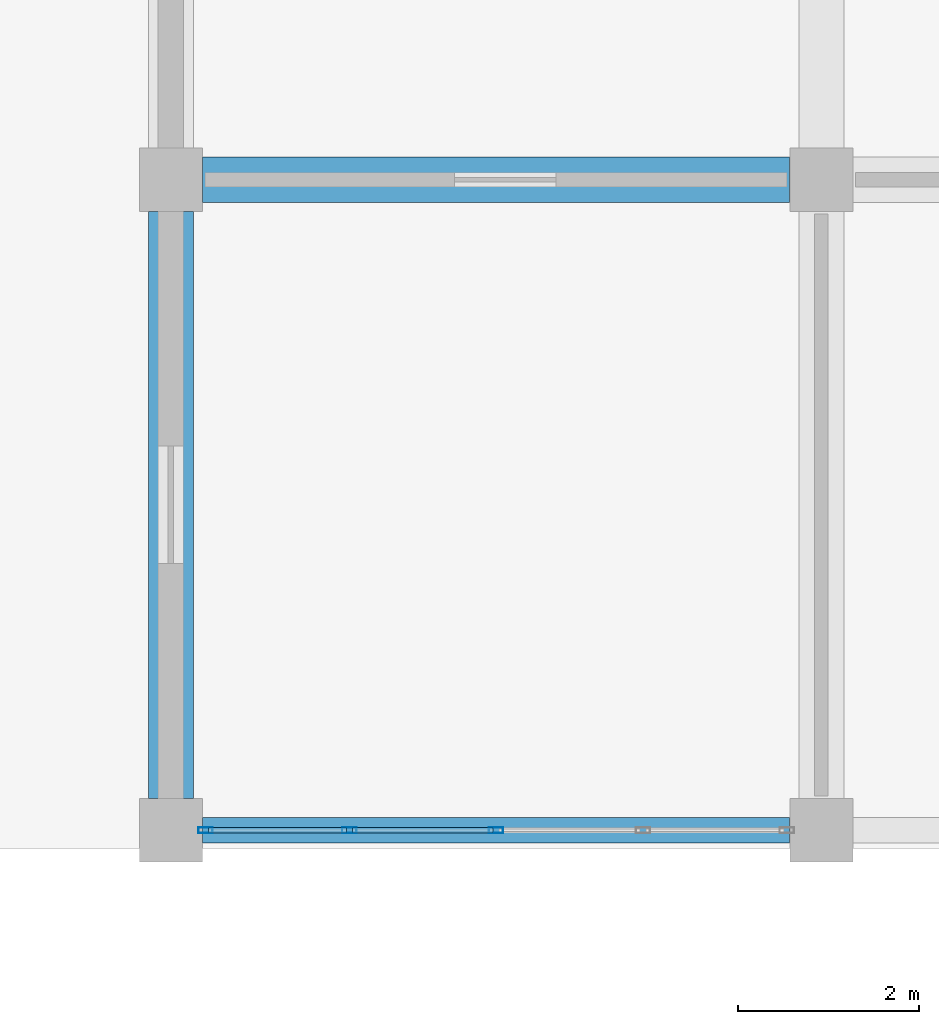
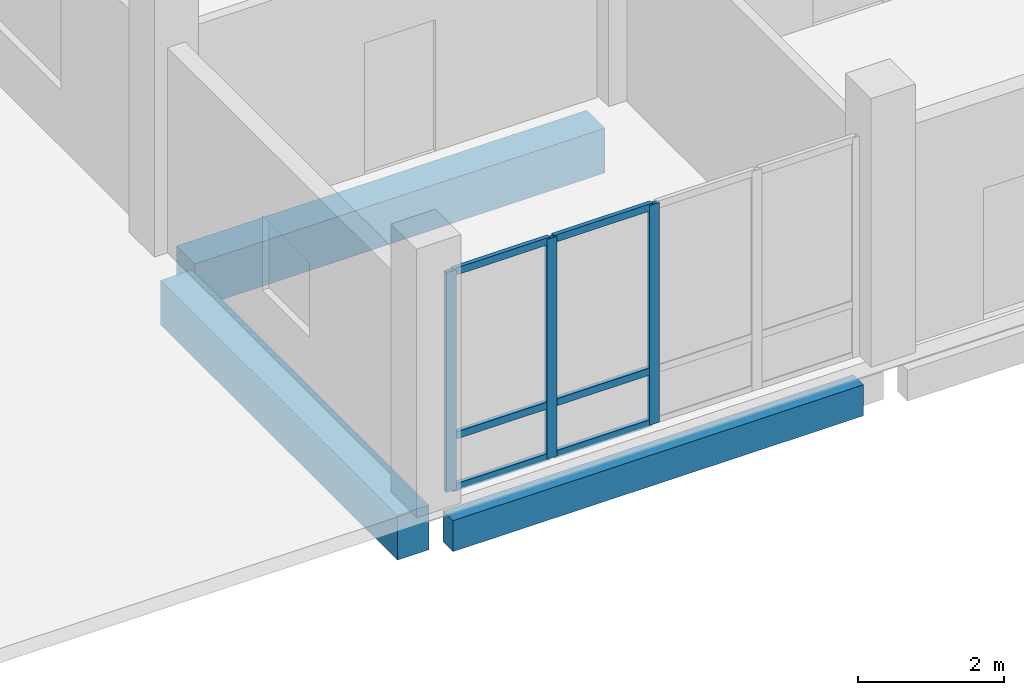
# One storey, part 35 of 139: 9 members, 3 beams, 1 element without a shape of its own.
"""IFC4 building model written with IfcOpenShell, lengths in metres."""

from ifc_helpers import new_model, si_unit, direction, frame, origin, origin_2d, place, context, subcontext, project, spatial, rectangle, hollow_rectangle, extrude, material, material_profile, profile_set, type_object, element, aggregate, save


model = new_model("IFC4")

# Units and contexts
model_context = context("Model", 3, precision=1e-05, world=origin(), true_north=direction((0.0, 1.0)))
body_context = subcontext(model_context, "Body", "Model", "MODEL_VIEW")
ifc_project = project(units=[si_unit("LENGTHUNIT", "METRE"), si_unit("AREAUNIT", "SQUARE_METRE"), si_unit("VOLUMEUNIT", "CUBIC_METRE"), si_unit("PLANEANGLEUNIT", "RADIAN"), si_unit("MASSUNIT", "GRAM", prefix="KILO")], contexts=[model_context])

# Site, building, storey
site_placement = place(None, origin())
site = spatial("IfcSite", under=ifc_project, at=site_placement, CompositionType="ELEMENT")
building_placement = place(site_placement, origin())
building = spatial("IfcBuilding", under=site, at=building_placement, Name="Suanplinth Sawtooth Commons", CompositionType="ELEMENT")
storey_placement = place(building_placement, origin())
storey = spatial("IfcBuildingStorey", under=building, at=storey_placement, Name="L00", CompositionType="ELEMENT", Elevation=0.0)

# Beams
ifc_material_1 = material(Name="Concrete C40/50", Category="concrete")
ifc_material_profile_1 = material_profile(ifc_material_1, rectangle(XDim=0.5, YDim=0.75, at=origin_2d()), Name="RC-GDR 500x750")
ifc_profile_set_1 = profile_set([ifc_material_profile_1], Name="Concrete C40/50")
beam_type_1 = type_object("IfcBeamType", Name="B-03", PredefinedType="USERDEFINED", material=ifc_profile_set_1)
for number, where, z_axis, x_axis, name in (
    (1, (122.75, 7.199951171875, -0.794921875), (1.0, 0.0, 0.0), (0.0, 1.0, 0.0), "BMX-L00-C-17-1"),
    (2, (122.39990234375, 0.35009765625, -0.794921875), (0.0, 1.0, 0.0), (-1.0, 0.0, 0.0), "BMY-L00-C-17-0"),
):
    element("IfcBeam", number, at=place(storey_placement, frame(where, z_axis=z_axis, x_axis=x_axis)), inside=storey, type_object=beam_type_1, Name=name, ObjectType="GIRDER", PredefinedType="USERDEFINED", context=body_context, shape_type="SweptSolid", body=[
        extrude(rectangle(XDim=0.5, YDim=0.75, at=origin_2d()), origin(), (0.0, 0.0, 1.0), 6.5),
    ])
ifc_material_2 = material(Name="Precast concrete C40/50", Category="concrete")
ifc_material_profile_2 = material_profile(ifc_material_2, rectangle(XDim=0.280029296875, YDim=0.52001953125, at=origin_2d()), Name="PC-SP 280x520")
ifc_profile_set_2 = profile_set([ifc_material_profile_2], Name="Precast concrete C40/50")
beam_type_2 = type_object("IfcBeamType", Name="B-08", PredefinedType="SPANDREL", material=ifc_profile_set_2)
beam_placement = place(storey_placement, frame((122.75, 0.0, -0.679931640625), z_axis=(1.0, 0.0, 0.0), x_axis=(0.0, 1.0, 0.0)))
element("IfcBeam", 3, at=beam_placement, inside=storey, type_object=beam_type_2, Name="BMX-L00-C-17-0", PredefinedType="SPANDREL", context=body_context, shape_type="SweptSolid", body=[
    extrude(rectangle(XDim=0.280029296875, YDim=0.52001953125, at=origin_2d()), origin(), (0.0, 0.0, 1.0), 6.5),
])

# Curtain wall, members
ifc_material_3 = material(Name="Anodized aluminium and low-E glazing", Category="aluminium")
curtain_wall_type = type_object("IfcCurtainWallType", Name="CW-04", PredefinedType="USERDEFINED", material=ifc_material_3)
curtain_wall_placement = place(storey_placement, origin())
curtain_wall = element("IfcCurtainWall", 4, at=curtain_wall_placement, inside=storey, type_object=curtain_wall_type, Name="Curtain Wall CW-L00-C-S-17", ObjectType="CURTAIN WALL", PredefinedType="USERDEFINED")
ifc_material_4 = material(Name="Anodized aluminium 6063-T6", Category="aluminium")
ifc_material_profile_3 = material_profile(ifc_material_4, hollow_rectangle(XDim=0.06494140625, YDim=0.159912109375, WallThickness=0.00390625, at=origin_2d()), Name="ALU-MUL 65x160")
ifc_profile_set_3 = profile_set([ifc_material_profile_3], Name="Anodized aluminium 6063-T6")
member_type_1 = type_object("IfcMemberType", Name="M-13", PredefinedType="MULLION", material=ifc_profile_set_3)
member_1_placement = place(storey_placement, frame((122.782470703125, 0.0, 0.0), z_axis=(0.0, 0.0, 1.0), x_axis=(0.0, 1.0, 0.0)))
member_1 = element("IfcMember", 5, at=member_1_placement, type_object=member_type_1, Name="CW-04 mullion 1", PredefinedType="MULLION", context=body_context, shape_type="SweptSolid", body=[
    extrude(hollow_rectangle(XDim=0.06494140625, YDim=0.159912109375, WallThickness=0.00390625, at=origin_2d()), origin(), (0.0, 0.0, 1.0), 3.679931640625),
])
member_2_placement = place(storey_placement, frame((124.375, 0.0, 0.0), z_axis=(0.0, 0.0, 1.0), x_axis=(0.0, 1.0, 0.0)))
member_2 = element("IfcMember", 6, at=member_2_placement, type_object=member_type_1, Name="CW-04 mullion 2", PredefinedType="MULLION", context=body_context, shape_type="SweptSolid", body=[
    extrude(hollow_rectangle(XDim=0.06494140625, YDim=0.159912109375, WallThickness=0.00390625, at=origin_2d()), origin(), (0.0, 0.0, 1.0), 3.679931640625),
])
member_3_placement = place(storey_placement, frame((126.0, 0.0, 0.0), z_axis=(0.0, 0.0, 1.0), x_axis=(0.0, 1.0, 0.0)))
member_3 = element("IfcMember", 7, at=member_3_placement, type_object=member_type_1, Name="CW-04 mullion 3", PredefinedType="MULLION", context=body_context, shape_type="SweptSolid", body=[
    extrude(hollow_rectangle(XDim=0.06494140625, YDim=0.159912109375, WallThickness=0.00390625, at=origin_2d()), origin(), (0.0, 0.0, 1.0), 3.679931640625),
])
ifc_material_profile_4 = material_profile(ifc_material_4, hollow_rectangle(XDim=0.06494140625, YDim=0.1201171875, WallThickness=0.00390625, at=origin_2d()), Name="ALU-TRN 65x120")
ifc_profile_set_4 = profile_set([ifc_material_profile_4], Name="Anodized aluminium 6063-T6")
member_type_2 = type_object("IfcMemberType", Name="M-15", PredefinedType="USERDEFINED", material=ifc_profile_set_4)
member_4_placement = place(storey_placement, frame((122.81494140625, 0.0, 0.032470703125), z_axis=(1.0, 0.0, 0.0), x_axis=(0.0, 1.0, 0.0)))
member_4 = element("IfcMember", 8, at=member_4_placement, type_object=member_type_2, Name="CW-04 transom 1.1", ObjectType="TRANSOM", PredefinedType="USERDEFINED", context=body_context, shape_type="SweptSolid", body=[
    extrude(hollow_rectangle(XDim=0.06494140625, YDim=0.1201171875, WallThickness=0.00390625, at=origin_2d()), origin(), (0.0, 0.0, 1.0), 1.527587890625),
])
member_5_placement = place(storey_placement, frame((122.81494140625, 0.0, 0.89990234375), z_axis=(1.0, 0.0, 0.0), x_axis=(0.0, 1.0, 0.0)))
member_5 = element("IfcMember", 9, at=member_5_placement, type_object=member_type_2, Name="CW-04 transom 1.2", ObjectType="TRANSOM", PredefinedType="USERDEFINED", context=body_context, shape_type="SweptSolid", body=[
    extrude(hollow_rectangle(XDim=0.06494140625, YDim=0.1201171875, WallThickness=0.00390625, at=origin_2d()), origin(), (0.0, 0.0, 1.0), 1.527587890625),
])
member_6_placement = place(storey_placement, frame((122.81494140625, 0.0, 3.6474609375), z_axis=(1.0, 0.0, 0.0), x_axis=(0.0, 1.0, 0.0)))
member_6 = element("IfcMember", 10, at=member_6_placement, type_object=member_type_2, Name="CW-04 transom 1.3", ObjectType="TRANSOM", PredefinedType="USERDEFINED", context=body_context, shape_type="SweptSolid", body=[
    extrude(hollow_rectangle(XDim=0.06494140625, YDim=0.1201171875, WallThickness=0.00390625, at=origin_2d()), origin(), (0.0, 0.0, 1.0), 1.527587890625),
])
member_7_placement = place(storey_placement, frame((124.407470703125, 0.0, 0.032470703125), z_axis=(1.0, 0.0, 0.0), x_axis=(0.0, 1.0, 0.0)))
member_7 = element("IfcMember", 11, at=member_7_placement, type_object=member_type_2, Name="CW-04 transom 2.1", ObjectType="TRANSOM", PredefinedType="USERDEFINED", context=body_context, shape_type="SweptSolid", body=[
    extrude(hollow_rectangle(XDim=0.06494140625, YDim=0.1201171875, WallThickness=0.00390625, at=origin_2d()), origin(), (0.0, 0.0, 1.0), 1.56005859375),
])
member_8_placement = place(storey_placement, frame((124.407470703125, 0.0, 0.89990234375), z_axis=(1.0, 0.0, 0.0), x_axis=(0.0, 1.0, 0.0)))
member_8 = element("IfcMember", 12, at=member_8_placement, type_object=member_type_2, Name="CW-04 transom 2.2", ObjectType="TRANSOM", PredefinedType="USERDEFINED", context=body_context, shape_type="SweptSolid", body=[
    extrude(hollow_rectangle(XDim=0.06494140625, YDim=0.1201171875, WallThickness=0.00390625, at=origin_2d()), origin(), (0.0, 0.0, 1.0), 1.56005859375),
])
member_9_placement = place(storey_placement, frame((124.407470703125, 0.0, 3.6474609375), z_axis=(1.0, 0.0, 0.0), x_axis=(0.0, 1.0, 0.0)))
member_9 = element("IfcMember", 13, at=member_9_placement, type_object=member_type_2, Name="CW-04 transom 2.3", ObjectType="TRANSOM", PredefinedType="USERDEFINED", context=body_context, shape_type="SweptSolid", body=[
    extrude(hollow_rectangle(XDim=0.06494140625, YDim=0.1201171875, WallThickness=0.00390625, at=origin_2d()), origin(), (0.0, 0.0, 1.0), 1.56005859375),
])
aggregate(curtain_wall, [member_1, member_2, member_3, member_4, member_5, member_6, member_7, member_8, member_9])

save(model, "model.ifc")
